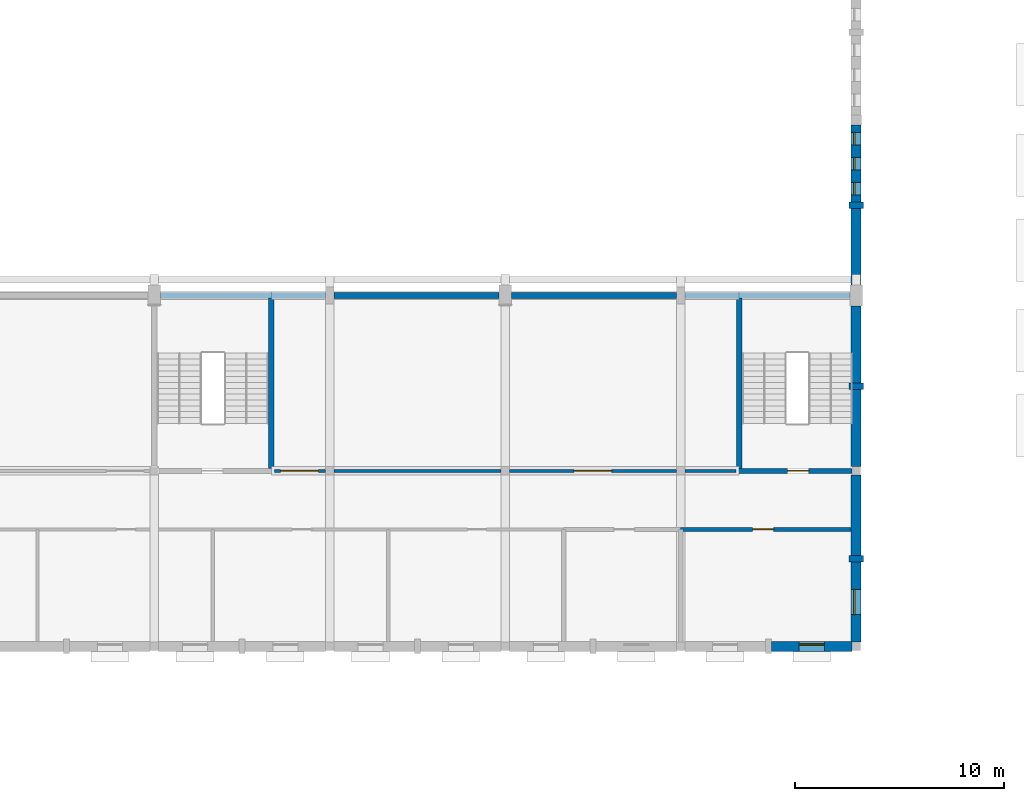
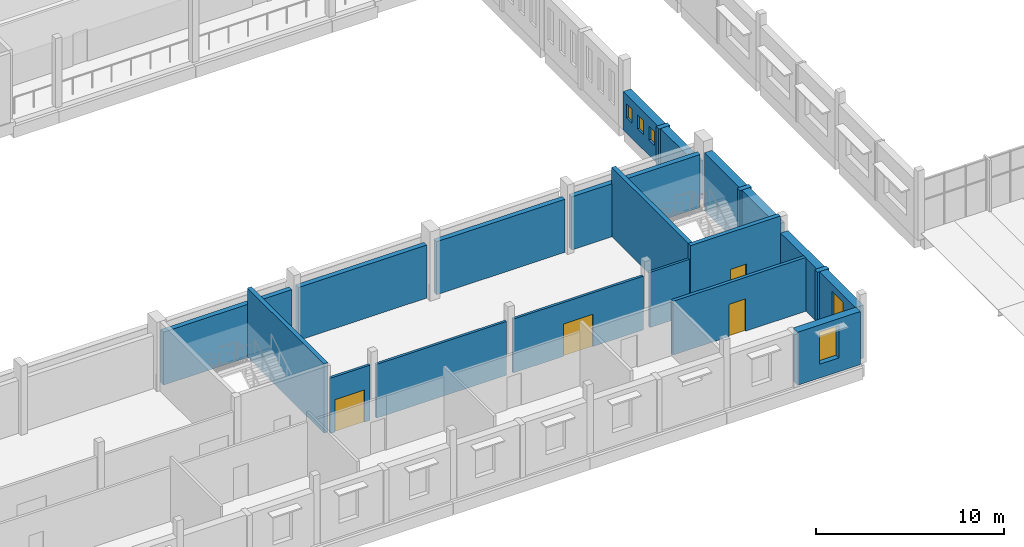
# One storey, part 37 of 60: 22 walls, 5 windows, 4 doors, 9 openings.
"""IFC4 building model written with IfcOpenShell, lengths in metres."""

from ifc_helpers import new_model, si_unit, direction, frame, frame_2d, origin, place, context, subcontext, project, spatial, rectangle, extrude, material, layer, layer_set, type_object, element, fill, save


model = new_model("IFC4")

# Units and contexts
model_context = context("Model", 3, precision=1e-05, world=origin(), true_north=direction((0.0, 1.0)))
body_context = subcontext(model_context, "Body", "Model", "MODEL_VIEW")
ifc_project = project(units=[si_unit("LENGTHUNIT", "METRE"), si_unit("AREAUNIT", "SQUARE_METRE"), si_unit("VOLUMEUNIT", "CUBIC_METRE"), si_unit("PLANEANGLEUNIT", "RADIAN"), si_unit("MASSUNIT", "GRAM", prefix="KILO")], contexts=[model_context])

# Site, building, storey
site_placement = place(None, origin())
site = spatial("IfcSite", under=ifc_project, at=site_placement, CompositionType="ELEMENT")
building_placement = place(site_placement, origin())
building = spatial("IfcBuilding", under=site, at=building_placement, Name="Fescue Hill Polytechnic", CompositionType="ELEMENT")
storey_placement = place(building_placement, frame((0.0, 0.0, 4.5)))
storey = spatial("IfcBuildingStorey", under=building, at=storey_placement, Name="L01", CompositionType="ELEMENT", Elevation=4.5)

# Wall, opening, door
ifc_material_1 = material(Name="Concrete 40 MPa", Category="concrete")
ifc_layer_1 = layer(ifc_material_1, 0.25)
ifc_layer_set_1 = layer_set([ifc_layer_1], Name="Concrete 40 MPa")
wall_type_1 = type_object("IfcWallType", Name="Core wall 250", PredefinedType="SHEAR", material=ifc_layer_set_1)
wall_1_placement = place(storey_placement, frame((111.875, 8.39990234375, 0.0), z_axis=(0.0, 0.0, 1.0), x_axis=(1.0, 0.0, 0.0)))
wall_1 = element("IfcWall", 1, at=wall_1_placement, inside=storey, type_object=wall_type_1, Name="CW-L01-ST-V1-10-11", PredefinedType="SHEAR", context=body_context, shape_type="SweptSolid", body=[
    extrude(rectangle(XDim=5.52490234375, YDim=0.25, at=frame_2d((2.762451171875, 0.0))), origin(), (0.0, 0.0, 1.0), 4.5),
])
opening_1_placement = place(wall_1_placement, frame((2.449951171875, 0.0, 0.0)))
opening_1 = element("IfcOpeningElement", 2, at=opening_1_placement, cuts=wall_1, Name="Opening D1080", PredefinedType="OPENING", context=body_context, shape_type="SweptSolid", body=[
    extrude(rectangle(XDim=1.0, YDim=2.10009765625, at=frame_2d((0.5, 1.050048828125))), frame((0.0, 0.135009765625, 0.0), z_axis=(0.0, -1.0, 0.0), x_axis=(1.0, 0.0, 0.0)), (0.0, 0.0, 1.0), 0.27001953125),
])
ifc_material_2 = material(Name="Steel fire door", Category="steel")
door_type_1 = type_object("IfcDoorType", Name="Door single swing 1000x2100 stair fire rated", OperationType="NOTDEFINED", PredefinedType="DOOR", material=ifc_material_2)
door_1_placement = place(opening_1_placement, origin())
door_1 = element("IfcDoor", 3, at=door_1_placement, inside=storey, type_object=door_type_1, Name="L01 ST-V1-10 stair door", OperationType="SINGLE_SWING_LEFT", OverallHeight=2.10009765625, OverallWidth=1.0, PredefinedType="DOOR", context=body_context, shape_type="SweptSolid", body=[
    extrude(rectangle(XDim=1.0, YDim=2.10009765625, at=frame_2d((0.5, 1.050048828125))), frame((0.0, 0.02490234375, 0.0), z_axis=(0.0, -1.0, 0.0), x_axis=(1.0, 0.0, 0.0)), (0.0, 0.0, 1.0), 0.050048828125),
])
fill(opening_1, door_1)

# Walls
for number, where, z_axis, x_axis, name in (
    (4, (112.0, 8.52490234375, 0.0), (0.0, 0.0, 1.0), (0.0, 1.0, 0.0), "CW-L01-ST-V1-10-31"),
    (5, (89.60009765625, 8.52490234375, 0.0), (0.0, 0.0, 1.0), (0.0, 1.0, 0.0), "CW-L01-ST-V1-4-41"),
):
    element("IfcWall", number, at=place(storey_placement, frame(where, z_axis=z_axis, x_axis=x_axis)), inside=storey, type_object=wall_type_1, Name=name, PredefinedType="SHEAR", context=body_context, shape_type="SweptSolid", body=[
        extrude(rectangle(XDim=8.150146484375, YDim=0.25, at=frame_2d((4.0751953125, 0.0))), origin(), (0.0, 0.0, 1.0), 4.5),
    ])

# Wall, opening, door
ifc_material_3 = material(Name="Gypsum board partition")
ifc_layer_2 = layer(ifc_material_3, 0.14990234375)
ifc_layer_set_2 = layer_set([ifc_layer_2], Name="Gypsum board partition")
wall_type_2 = type_object("IfcWallType", Name="Corridor wall 150 EI 45", PredefinedType="PARTITIONING", material=ifc_layer_set_2)
wall_2_placement = place(storey_placement, frame((89.75, 8.39990234375, 0.0), z_axis=(0.0, 0.0, 1.0), x_axis=(1.0, 0.0, 0.0)))
wall_2 = element("IfcWall", 6, at=wall_2_placement, inside=storey, type_object=wall_type_2, Name="IW-L01-012", PredefinedType="PARTITIONING", context=body_context, shape_type="SweptSolid", body=[
    extrude(rectangle(XDim=2.449951171875, YDim=0.14990234375, at=frame_2d((1.22509765625, 0.0))), origin(), (0.0, 0.0, 1.0), 3.60009765625),
])
opening_2_placement = place(wall_2_placement, frame((0.300048828125, 0.0, 0.0)))
opening_2 = element("IfcOpeningElement", 7, at=opening_2_placement, cuts=wall_2, Name="Opening D1033", PredefinedType="OPENING", context=body_context, shape_type="SweptSolid", body=[
    extrude(rectangle(XDim=1.800048828125, YDim=2.10009765625, at=frame_2d((0.89990234375, 1.050048828125))), frame((0.0, 0.0849609375, 0.0), z_axis=(0.0, -1.0, 0.0), x_axis=(1.0, 0.0, 0.0)), (0.0, 0.0, 1.0), 0.169921875),
])
ifc_material_4 = material(Name="Timber", Category="wood")
door_type_2 = type_object("IfcDoorType", Name="Door double swing 1800x2100 FD30S", OperationType="DOUBLE_DOOR_SINGLE_SWING", PredefinedType="DOOR", material=ifc_material_4)
door_2_placement = place(opening_2_placement, origin())
door_2 = element("IfcDoor", 8, at=door_2_placement, inside=storey, type_object=door_type_2, Name="Door D1033", OperationType="DOUBLE_DOOR_SINGLE_SWING", OverallHeight=2.10009765625, OverallWidth=1.800048828125, PredefinedType="DOOR", context=body_context, shape_type="SweptSolid", body=[
    extrude(rectangle(XDim=1.800048828125, YDim=2.10009765625, at=frame_2d((0.89990234375, 1.050048828125))), frame((0.0, 0.02490234375, 0.0), z_axis=(0.0, -1.0, 0.0), x_axis=(1.0, 0.0, 0.0)), (0.0, 0.0, 1.0), 0.050048828125),
])
fill(opening_2, door_2)

# Wall
wall_3_placement = place(storey_placement, frame((92.60009765625, 8.39990234375, 0.0), z_axis=(0.0, 0.0, 1.0), x_axis=(1.0, 0.0, 0.0)))
element("IfcWall", 9, at=wall_3_placement, inside=storey, type_object=wall_type_2, Name="IW-L01-013", PredefinedType="PARTITIONING", context=body_context, shape_type="SweptSolid", body=[
    extrude(rectangle(XDim=8.0, YDim=0.14990234375, at=frame_2d((4.0, 0.0))), origin(), (0.0, 0.0, 1.0), 3.5),
])

# Wall, opening, door
wall_4_placement = place(storey_placement, frame((101.0, 8.39990234375, 0.0), z_axis=(0.0, 0.0, 1.0), x_axis=(1.0, 0.0, 0.0)))
wall_4 = element("IfcWall", 10, at=wall_4_placement, inside=storey, type_object=wall_type_2, Name="IW-L01-014", PredefinedType="PARTITIONING", context=body_context, shape_type="SweptSolid", body=[
    extrude(rectangle(XDim=8.0, YDim=0.14990234375, at=frame_2d((4.0, 0.0))), origin(), (0.0, 0.0, 1.0), 3.5),
])
opening_3_placement = place(wall_4_placement, frame((3.10009765625, 0.0, 0.0)))
opening_3 = element("IfcOpeningElement", 11, at=opening_3_placement, cuts=wall_4, Name="Opening D1032", PredefinedType="OPENING", context=body_context, shape_type="SweptSolid", body=[
    extrude(rectangle(XDim=1.800048828125, YDim=2.10009765625, at=frame_2d((0.89990234375, 1.050048828125))), frame((0.0, 0.0849609375, 0.0), z_axis=(0.0, -1.0, 0.0), x_axis=(1.0, 0.0, 0.0)), (0.0, 0.0, 1.0), 0.169921875),
])
door_3_placement = place(opening_3_placement, origin())
door_3 = element("IfcDoor", 12, at=door_3_placement, inside=storey, type_object=door_type_2, Name="Door D1032", OperationType="DOUBLE_DOOR_SINGLE_SWING", OverallHeight=2.10009765625, OverallWidth=1.800048828125, PredefinedType="DOOR", context=body_context, shape_type="SweptSolid", body=[
    extrude(rectangle(XDim=1.800048828125, YDim=2.10009765625, at=frame_2d((0.89990234375, 1.050048828125))), frame((0.0, 0.02490234375, 0.0), z_axis=(0.0, -1.0, 0.0), x_axis=(1.0, 0.0, 0.0)), (0.0, 0.0, 1.0), 0.050048828125),
])
fill(opening_3, door_3)

# Wall
wall_5_placement = place(storey_placement, frame((109.39990234375, 8.39990234375, 0.0), z_axis=(0.0, 0.0, 1.0), x_axis=(1.0, 0.0, 0.0)))
element("IfcWall", 13, at=wall_5_placement, inside=storey, type_object=wall_type_2, Name="IW-L01-015", PredefinedType="PARTITIONING", context=body_context, shape_type="SweptSolid", body=[
    extrude(rectangle(XDim=2.4501953125, YDim=0.14990234375, at=frame_2d((1.22509765625, 0.0))), origin(), (0.0, 0.0, 1.0), 3.60009765625),
])

# Wall, opening, window
ifc_material_5 = material(Name="Clay brick masonry", Category="masonry")
ifc_layer_3 = layer(ifc_material_5, 0.47998046875)
ifc_layer_set_3 = layer_set([ifc_layer_3], Name="Clay brick masonry")
wall_type_3 = type_object("IfcWallType", Name="Exterior wall engineering brick cavity 480", PredefinedType="SOLIDWALL", material=ifc_layer_set_3)
wall_6_placement = place(storey_placement, frame((113.550048828125, 0.0, 0.0), z_axis=(0.0, 0.0, 1.0), x_axis=(1.0, 0.0, 0.0)))
wall_6 = element("IfcWall", 14, at=wall_6_placement, inside=storey, type_object=wall_type_3, Name="EW-L01-V1-32", PredefinedType="SOLIDWALL", context=body_context, shape_type="SweptSolid", body=[
    extrude(rectangle(XDim=3.849853515625, YDim=0.47998046875, at=frame_2d((1.9248046875, 0.0))), origin(), (0.0, 0.0, 1.0), 3.449951171875),
])
opening_4_placement = place(wall_6_placement, frame((1.324951171875, 0.0, 0.89990234375)))
opening_4 = element("IfcOpeningElement", 15, at=opening_4_placement, cuts=wall_6, Name="Opening W13", PredefinedType="OPENING", context=body_context, shape_type="SweptSolid", body=[
    extrude(rectangle(XDim=1.199951171875, YDim=2.10009765625, at=frame_2d((0.60009765625, 1.050048828125))), frame((0.0, 0.25, 0.0), z_axis=(0.0, -1.0, 0.0), x_axis=(1.0, 0.0, 0.0)), (0.0, 0.0, 1.0), 0.5),
])
ifc_material_6 = material(Name="Powder-coated aluminium and glass", Category="aluminium")
window_type_1 = type_object("IfcWindowType", Name="Window cellular office 1200x2100", PartitioningType="SINGLE_PANEL", PredefinedType="WINDOW", material=ifc_material_6)
window_1_placement = place(opening_4_placement, origin())
window_1 = element("IfcWindow", 16, at=window_1_placement, inside=storey, type_object=window_type_1, Name="WN-L01-V1-27", OverallHeight=2.10009765625, OverallWidth=1.199951171875, PartitioningType="SINGLE_PANEL", PredefinedType="WINDOW", context=body_context, shape_type="SweptSolid", body=[
    extrude(rectangle(XDim=1.199951171875, YDim=2.10009765625, at=frame_2d((0.60009765625, 1.050048828125))), frame((0.0, 0.1201171875, 0.0), z_axis=(0.0, -1.0, 0.0), x_axis=(1.0, 0.0, 0.0)), (0.0, 0.0, 1.0), 0.06005859375),
])
fill(opening_4, window_1)

wall_7_placement = place(storey_placement, frame((117.60009765625, 0.199951171875, 0.0), z_axis=(0.0, 0.0, 1.0), x_axis=(0.0, 1.0, 0.0)))
wall_7 = element("IfcWall", 17, at=wall_7_placement, inside=storey, type_object=wall_type_3, Name="EW-L01-V1-33", PredefinedType="SOLIDWALL", context=body_context, shape_type="SweptSolid", body=[
    extrude(rectangle(XDim=3.85009765625, YDim=0.47998046875, at=frame_2d((1.925048828125, 0.0))), origin(), (0.0, 0.0, 1.0), 3.449951171875),
])
opening_5_placement = place(wall_7_placement, frame((1.324951171875, 0.0, 0.89990234375)))
opening_5 = element("IfcOpeningElement", 18, at=opening_5_placement, cuts=wall_7, Name="Opening W13", PredefinedType="OPENING", context=body_context, shape_type="SweptSolid", body=[
    extrude(rectangle(XDim=1.199951171875, YDim=2.10009765625, at=frame_2d((0.60009765625, 1.050048828125))), frame((0.0, 0.25, 0.0), z_axis=(0.0, -1.0, 0.0), x_axis=(1.0, 0.0, 0.0)), (0.0, 0.0, 1.0), 0.5),
])
window_2_placement = place(opening_5_placement, origin())
window_2 = element("IfcWindow", 19, at=window_2_placement, inside=storey, type_object=window_type_1, Name="WN-L01-V1-28", OverallHeight=2.10009765625, OverallWidth=1.199951171875, PartitioningType="SINGLE_PANEL", PredefinedType="WINDOW", context=body_context, shape_type="SweptSolid", body=[
    extrude(rectangle(XDim=1.199951171875, YDim=2.10009765625, at=frame_2d((0.60009765625, 1.050048828125))), frame((0.0, 0.1201171875, 0.0), z_axis=(0.0, -1.0, 0.0), x_axis=(1.0, 0.0, 0.0)), (0.0, 0.0, 1.0), 0.06005859375),
])
fill(opening_5, window_2)

# Walls
wall_8_placement = place(storey_placement, frame((117.60009765625, 4.35009765625, 0.0), z_axis=(0.0, 0.0, 1.0), x_axis=(0.0, 1.0, 0.0)))
element("IfcWall", 20, at=wall_8_placement, inside=storey, type_object=wall_type_3, Name="EW-L01-V1-34", PredefinedType="SOLIDWALL", context=body_context, shape_type="SweptSolid", body=[
    extrude(rectangle(XDim=3.849853515625, YDim=0.47998046875, at=frame_2d((1.9248046875, 0.0))), origin(), (0.0, 0.0, 1.0), 3.449951171875),
])
wall_9_placement = place(storey_placement, frame((117.60009765625, 17.300048828125, 0.0), z_axis=(0.0, 0.0, 1.0), x_axis=(0.0, 1.0, 0.0)))
element("IfcWall", 21, at=wall_9_placement, inside=storey, type_object=wall_type_3, Name="EW-L01-V1-79", PredefinedType="SOLIDWALL", context=body_context, shape_type="SweptSolid", body=[
    extrude(rectangle(XDim=3.675048828125, YDim=0.47998046875, at=frame_2d((1.83740234375, 0.0))), origin(), (0.0, 0.0, 1.0), 2.489013671875),
])

# Wall, openings, windows
wall_10_placement = place(storey_placement, frame((117.60009765625, 21.27490234375, 0.0), z_axis=(0.0, 0.0, 1.0), x_axis=(0.0, 1.0, 0.0)))
wall_10 = element("IfcWall", 22, at=wall_10_placement, inside=storey, type_object=wall_type_3, Name="EW-L01-V1-80", PredefinedType="SOLIDWALL", context=body_context, shape_type="SweptSolid", body=[
    extrude(rectangle(XDim=3.675048828125, YDim=0.47998046875, at=frame_2d((1.83740234375, 0.0))), origin(), (0.0, 0.0, 1.0), 2.489013671875),
])
opening_6_placement = place(wall_10_placement, frame((0.33740234375, 0.0, 1.0)))
opening_6 = element("IfcOpeningElement", 23, at=opening_6_placement, cuts=wall_10, Name="Opening W6R2", PredefinedType="OPENING", context=body_context, shape_type="SweptSolid", body=[
    extrude(rectangle(XDim=0.60009765625, YDim=0.89990234375, at=frame_2d((0.300048828125, 0.449951171875))), frame((0.0, 0.25, 0.0), z_axis=(0.0, -1.0, 0.0), x_axis=(1.0, 0.0, 0.0)), (0.0, 0.0, 1.0), 0.5),
])
opening_7_placement = place(wall_10_placement, frame((1.53759765625, 0.0, 1.0)))
opening_7 = element("IfcOpeningElement", 24, at=opening_7_placement, cuts=wall_10, Name="Opening W6R2", PredefinedType="OPENING", context=body_context, shape_type="SweptSolid", body=[
    extrude(rectangle(XDim=0.60009765625, YDim=0.89990234375, at=frame_2d((0.300048828125, 0.449951171875))), frame((0.0, 0.25, 0.0), z_axis=(0.0, -1.0, 0.0), x_axis=(1.0, 0.0, 0.0)), (0.0, 0.0, 1.0), 0.5),
])
opening_8_placement = place(wall_10_placement, frame((2.737548828125, 0.0, 1.0)))
opening_8 = element("IfcOpeningElement", 25, at=opening_8_placement, cuts=wall_10, Name="Opening W6R2", PredefinedType="OPENING", context=body_context, shape_type="SweptSolid", body=[
    extrude(rectangle(XDim=0.60009765625, YDim=0.89990234375, at=frame_2d((0.300048828125, 0.449951171875))), frame((0.0, 0.25, 0.0), z_axis=(0.0, -1.0, 0.0), x_axis=(1.0, 0.0, 0.0)), (0.0, 0.0, 1.0), 0.5),
])
window_type_2 = type_object("IfcWindowType", Name="Window slot 600x900", PartitioningType="SINGLE_PANEL", PredefinedType="WINDOW", material=ifc_material_6)
window_3_placement = place(opening_6_placement, origin())
window_3 = element("IfcWindow", 26, at=window_3_placement, inside=storey, type_object=window_type_2, Name="WN-L01-V1-48", OverallHeight=0.89990234375, OverallWidth=0.60009765625, PartitioningType="SINGLE_PANEL", PredefinedType="WINDOW", context=body_context, shape_type="SweptSolid", body=[
    extrude(rectangle(XDim=0.60009765625, YDim=0.89990234375, at=frame_2d((0.300048828125, 0.449951171875))), frame((0.0, 0.1201171875, 0.0), z_axis=(0.0, -1.0, 0.0), x_axis=(1.0, 0.0, 0.0)), (0.0, 0.0, 1.0), 0.06005859375),
])
fill(opening_6, window_3)
window_4_placement = place(opening_7_placement, origin())
window_4 = element("IfcWindow", 27, at=window_4_placement, inside=storey, type_object=window_type_2, Name="WN-L01-V1-49", OverallHeight=0.89990234375, OverallWidth=0.60009765625, PartitioningType="SINGLE_PANEL", PredefinedType="WINDOW", context=body_context, shape_type="SweptSolid", body=[
    extrude(rectangle(XDim=0.60009765625, YDim=0.89990234375, at=frame_2d((0.300048828125, 0.449951171875))), frame((0.0, 0.1201171875, 0.0), z_axis=(0.0, -1.0, 0.0), x_axis=(1.0, 0.0, 0.0)), (0.0, 0.0, 1.0), 0.06005859375),
])
fill(opening_7, window_4)
window_5_placement = place(opening_8_placement, origin())
window_5 = element("IfcWindow", 28, at=window_5_placement, inside=storey, type_object=window_type_2, Name="WN-L01-V1-50", OverallHeight=0.89990234375, OverallWidth=0.60009765625, PartitioningType="SINGLE_PANEL", PredefinedType="WINDOW", context=body_context, shape_type="SweptSolid", body=[
    extrude(rectangle(XDim=0.60009765625, YDim=0.89990234375, at=frame_2d((0.300048828125, 0.449951171875))), frame((0.0, 0.1201171875, 0.0), z_axis=(0.0, -1.0, 0.0), x_axis=(1.0, 0.0, 0.0)), (0.0, 0.0, 1.0), 0.06005859375),
])
fill(opening_8, window_5)

# Walls
ifc_layer_4 = layer(ifc_material_5, 0.47998046875)
ifc_layer_set_4 = layer_set([ifc_layer_4], Name="Clay brick masonry")
wall_type_4 = type_object("IfcWallType", Name="Exterior wall engineering brick cavity 480 load-bearing", PredefinedType="SOLIDWALL", material=ifc_layer_set_4)
for number, where, z_axis, x_axis, name in (
    (29, (117.60009765625, 8.60009765625, 0.0), (0.0, 0.0, 1.0), (0.0, 1.0, 0.0), "EW-L01-V1-35"),
    (30, (117.60009765625, 12.60009765625, 0.0), (0.0, 0.0, 1.0), (0.0, 1.0, 0.0), "EW-L01-V1-36"),
):
    element("IfcWall", number, at=place(storey_placement, frame(where, z_axis=z_axis, x_axis=x_axis)), inside=storey, type_object=wall_type_4, Name=name, PredefinedType="SOLIDWALL", context=body_context, shape_type="SweptSolid", body=[
        extrude(rectangle(XDim=3.699951171875, YDim=0.47998046875, at=frame_2d((1.85009765625, 0.0))), origin(), (0.0, 0.0, 1.0), 3.75),
    ])
ifc_layer_5 = layer(ifc_material_1, 0.699951171875)
ifc_layer_set_5 = layer_set([ifc_layer_5], Name="Concrete 40 MPa")
wall_type_5 = type_object("IfcWallType", Name="Fin wall board-marked 300x700", PredefinedType="SOLIDWALL", material=ifc_layer_set_5)
wall_11_placement = place(storey_placement, frame((117.60009765625, 4.050048828125, 0.0), z_axis=(0.0, 0.0, 1.0), x_axis=(0.0, 1.0, 0.0)))
element("IfcWall", 31, at=wall_11_placement, inside=storey, type_object=wall_type_5, Name="PR-L01-V1-17", PredefinedType="SOLIDWALL", context=body_context, shape_type="SweptSolid", body=[
    extrude(rectangle(XDim=0.300048828125, YDim=0.699951171875, at=frame_2d((0.14990234375, 0.0))), origin(), (0.0, 0.0, 1.0), 3.449951171875),
])
wall_12_placement = place(storey_placement, frame((117.60009765625, 20.97509765625, 0.0), z_axis=(0.0, 0.0, 1.0), x_axis=(0.0, 1.0, 0.0)))
element("IfcWall", 32, at=wall_12_placement, inside=storey, type_object=wall_type_5, Name="PR-L01-V1-30", PredefinedType="SOLIDWALL", context=body_context, shape_type="SweptSolid", body=[
    extrude(rectangle(XDim=0.2998046875, YDim=0.699951171875, at=frame_2d((0.14990234375, 0.0))), origin(), (0.0, 0.0, 1.0), 2.489013671875),
])
ifc_layer_6 = layer(ifc_material_1, 0.699951171875)
ifc_layer_set_6 = layer_set([ifc_layer_6], Name="Concrete 40 MPa")
wall_type_6 = type_object("IfcWallType", Name="Fin wall board-marked 300x700 load-bearing", PredefinedType="SOLIDWALL", material=ifc_layer_set_6)
wall_13_placement = place(storey_placement, frame((117.60009765625, 12.300048828125, 0.0), z_axis=(0.0, 0.0, 1.0), x_axis=(0.0, 1.0, 0.0)))
element("IfcWall", 33, at=wall_13_placement, inside=storey, type_object=wall_type_6, Name="PR-L01-V1-18", PredefinedType="SOLIDWALL", context=body_context, shape_type="SweptSolid", body=[
    extrude(rectangle(XDim=0.300048828125, YDim=0.699951171875, at=frame_2d((0.14990234375, 0.0))), origin(), (0.0, 0.0, 1.0), 3.75),
])
ifc_layer_7 = layer(ifc_material_1, 0.300048828125)
ifc_layer_set_7 = layer_set([ifc_layer_7], Name="Concrete 40 MPa")
wall_type_7 = type_object("IfcWallType", Name="Hall wall concrete 300 fire rated", PredefinedType="SOLIDWALL", material=ifc_layer_set_7)
for number, where, z_axis, x_axis, name in (
    (34, (109.0, 16.800048828125, 0.0), (0.0, 0.0, 1.0), (-1.0, 0.0, 0.0), "EW-L01-V1-38"),
    (35, (100.5, 16.800048828125, 0.0), (0.0, 0.0, 1.0), (-1.0, 0.0, 0.0), "EW-L01-V1-39"),
):
    element("IfcWall", number, at=place(storey_placement, frame(where, z_axis=z_axis, x_axis=x_axis)), inside=storey, type_object=wall_type_7, Name=name, PredefinedType="SOLIDWALL", context=body_context, shape_type="SweptSolid", body=[
        extrude(rectangle(XDim=7.89990234375, YDim=0.300048828125, at=frame_2d((3.949951171875, 0.0))), origin(), (0.0, 0.0, 1.0), 3.449951171875),
    ])
ifc_layer_8 = layer(ifc_material_1, 0.300048828125)
ifc_layer_set_8 = layer_set([ifc_layer_8], Name="Concrete 40 MPa")
wall_type_8 = type_object("IfcWallType", Name="Hall wall concrete 300 load-bearing REI 120", PredefinedType="SOLIDWALL", material=ifc_layer_set_8)
wall_14_placement = place(storey_placement, frame((117.300048828125, 16.800048828125, 0.0), z_axis=(0.0, 0.0, 1.0), x_axis=(-1.0, 0.0, 0.0)))
element("IfcWall", 36, at=wall_14_placement, inside=storey, type_object=wall_type_8, Name="EW-L01-V1-37", PredefinedType="SOLIDWALL", context=body_context, shape_type="SweptSolid", body=[
    extrude(rectangle(XDim=7.900146484375, YDim=0.300048828125, at=frame_2d((3.9501953125, 0.0))), origin(), (0.0, 0.0, 1.0), 3.449951171875),
])
wall_15_placement = place(storey_placement, frame((92.199951171875, 16.800048828125, 0.0), z_axis=(0.0, 0.0, 1.0), x_axis=(-1.0, 0.0, 0.0)))
element("IfcWall", 37, at=wall_15_placement, inside=storey, type_object=wall_type_8, Name="EW-L01-V1-40", PredefinedType="SOLIDWALL", context=body_context, shape_type="SweptSolid", body=[
    extrude(rectangle(XDim=7.89990234375, YDim=0.300048828125, at=frame_2d((3.949951171875, 0.0))), origin(), (0.0, 0.0, 1.0), 3.449951171875),
])

# Wall, opening, door
ifc_material_7 = material(Name="Concrete masonry block 15 MPa", Category="masonry")
ifc_layer_9 = layer(ifc_material_7, 0.199951171875)
ifc_layer_set_9 = layer_set([ifc_layer_9], Name="Concrete masonry block 15 MPa")
wall_type_9 = type_object("IfcWallType", Name="Workshop wall 200 block EI 60", PredefinedType="PARTITIONING", material=ifc_layer_set_9)
wall_16_placement = place(storey_placement, frame((109.199951171875, 5.60009765625, 0.0), z_axis=(0.0, 0.0, 1.0), x_axis=(1.0, 0.0, 0.0)))
wall_16 = element("IfcWall", 38, at=wall_16_placement, inside=storey, type_object=wall_type_9, Name="IW-L01-008", PredefinedType="PARTITIONING", context=body_context, shape_type="SweptSolid", body=[
    extrude(rectangle(XDim=8.16015625, YDim=0.199951171875, at=frame_2d((4.080078125, 0.0))), origin(), (0.0, 0.0, 1.0), 3.5),
])
opening_9_placement = place(wall_16_placement, frame((3.449951171875, 0.0, 0.0)))
opening_9 = element("IfcOpeningElement", 39, at=opening_9_placement, cuts=wall_16, Name="Opening D1025", PredefinedType="OPENING", context=body_context, shape_type="SweptSolid", body=[
    extrude(rectangle(XDim=1.0, YDim=2.10009765625, at=frame_2d((0.5, 1.050048828125))), frame((0.0, 0.10986328125, 0.0), z_axis=(0.0, -1.0, 0.0), x_axis=(1.0, 0.0, 0.0)), (0.0, 0.0, 1.0), 0.219970703125),
])
ifc_material_8 = material(Name="Steel", Category="steel")
door_type_3 = type_object("IfcDoorType", Name="Door single swing 1000x2100 FD60", OperationType="SINGLE_SWING_LEFT", PredefinedType="DOOR", material=ifc_material_8)
door_4_placement = place(opening_9_placement, origin())
door_4 = element("IfcDoor", 40, at=door_4_placement, inside=storey, type_object=door_type_3, Name="Door D1025", OperationType="SINGLE_SWING_LEFT", OverallHeight=2.10009765625, OverallWidth=1.0, PredefinedType="DOOR", context=body_context, shape_type="SweptSolid", body=[
    extrude(rectangle(XDim=1.0, YDim=2.10009765625, at=frame_2d((0.5, 1.050048828125))), frame((0.0, 0.02490234375, 0.0), z_axis=(0.0, -1.0, 0.0), x_axis=(1.0, 0.0, 0.0)), (0.0, 0.0, 1.0), 0.050048828125),
])
fill(opening_9, door_4)

save(model, "model.ifc")
